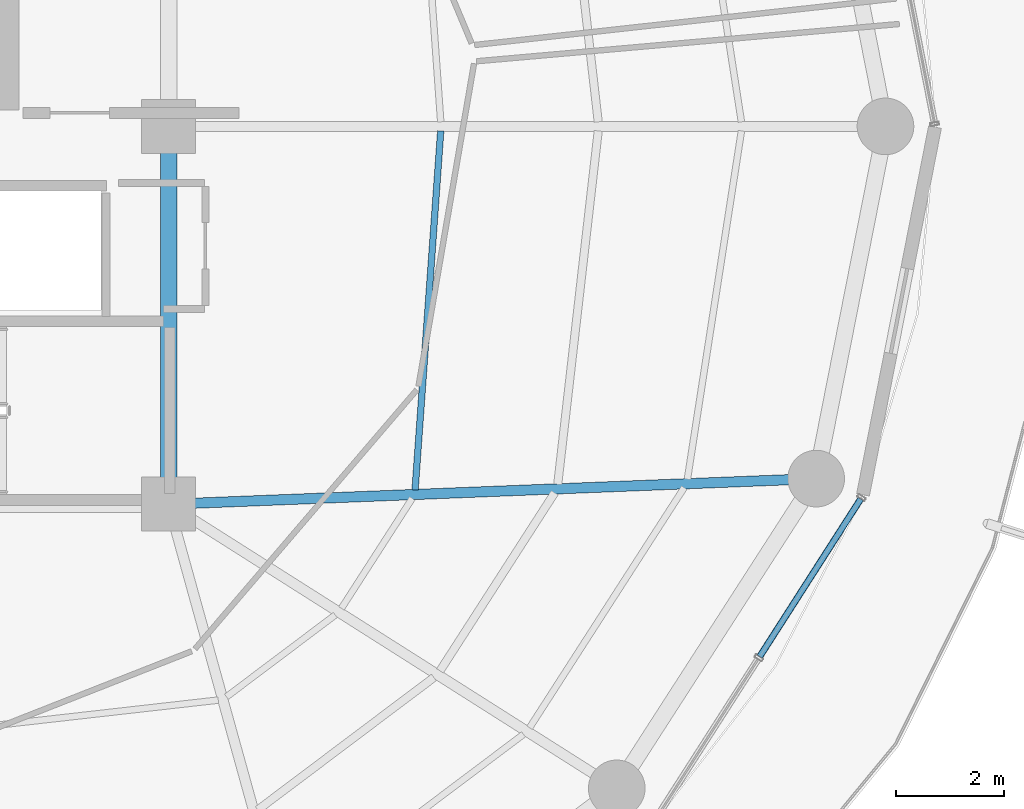
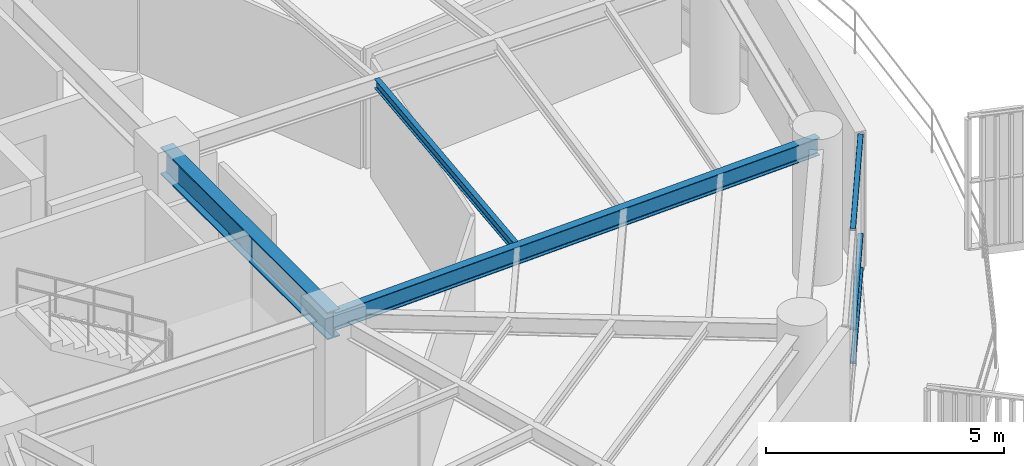
# One storey, part 12 of 31: 3 beams, 3 members, 1 element without a shape of its own.
"""IFC4 building model written with IfcOpenShell, lengths in metres."""

from ifc_helpers import new_model, si_unit, direction, frame, origin, origin_2d, place, context, subcontext, project, spatial, hollow_rectangle, i_section, extrude, material, layer, layer_set, material_profile, profile_set, type_object, element, aggregate, save


model = new_model("IFC4")

# Units and contexts
model_context = context("Model", 3, precision=1e-05, world=origin(), true_north=direction((0.0, 1.0)))
body_context = subcontext(model_context, "Body", "Model", "MODEL_VIEW")
ifc_project = project(units=[si_unit("LENGTHUNIT", "METRE"), si_unit("AREAUNIT", "SQUARE_METRE"), si_unit("VOLUMEUNIT", "CUBIC_METRE"), si_unit("PLANEANGLEUNIT", "RADIAN"), si_unit("MASSUNIT", "GRAM", prefix="KILO")], contexts=[model_context])

# Site, building, storey
site_placement = place(None, origin())
site = spatial("IfcSite", under=ifc_project, at=site_placement, CompositionType="ELEMENT")
building_placement = place(site_placement, origin())
building = spatial("IfcBuilding", under=site, at=building_placement, Name="Kelanora Arch Commons", CompositionType="ELEMENT")
storey_placement = place(building_placement, frame((0.0, 0.0, 230.699951171875)))
storey = spatial("IfcBuildingStorey", under=building, at=storey_placement, Name="L59", CompositionType="ELEMENT", Elevation=230.699951171875)

# Beams
ifc_material_1 = material(Name="Steel S355", Category="steel")
ifc_material_profile_1 = material_profile(ifc_material_1, i_section(OverallWidth=0.300048828125, OverallDepth=0.699951171875, WebThickness=0.01708984375, FlangeThickness=0.031982421875, FilletRadius=0.027099609375, at=origin_2d()), Name="HEB700")
ifc_profile_set_1 = profile_set([ifc_material_profile_1], Name="Steel S355")
beam_type_1 = type_object("IfcBeamType", Name="BM-CORE-HDR", PredefinedType="BEAM", material=ifc_profile_set_1)
beam_1_placement = place(storey_placement, frame((82.0, 51.0, 3.14013671875), z_axis=(0.0, 1.0, 0.0), x_axis=(-1.0, 0.0, 0.0)))
element("IfcBeam", 1, at=beam_1_placement, inside=storey, type_object=beam_type_1, Name="Core Header Beam 03 L59", PredefinedType="BEAM", context=body_context, shape_type="SweptSolid", body=[
    extrude(i_section(OverallWidth=0.300048828125, OverallDepth=0.699951171875, WebThickness=0.01708984375, FlangeThickness=0.031982421875, FilletRadius=0.027099609375, at=origin_2d()), origin(), (0.0, 0.0, 1.0), 7.0),
])
ifc_material_profile_2 = material_profile(ifc_material_1, i_section(OverallWidth=0.1201171875, OverallDepth=0.239990234375, WebThickness=0.006103515625, FlangeThickness=0.009765625, FilletRadius=0.014892578125, at=origin_2d()), Name="IPE240")
ifc_profile_set_2 = profile_set([ifc_material_profile_2], Name="Steel S355")
beam_type_2 = type_object("IfcBeamType", Name="BM-JST-02", PredefinedType="JOIST", material=ifc_profile_set_2)
beam_2_placement = place(storey_placement, frame((86.564697265625, 51.264892578125, 3.3701171875), z_axis=(0.07133032136, 0.997452748382, 0.0), x_axis=(-0.997452748382, 0.07133032136, 0.0)))
element("IfcBeam", 2, at=beam_2_placement, inside=storey, type_object=beam_type_2, Name="Secondary Chord Joist BJA-34 L59", PredefinedType="JOIST", context=body_context, shape_type="SweptSolid", body=[
    extrude(i_section(OverallWidth=0.1201171875, OverallDepth=0.239990234375, WebThickness=0.006103515625, FlangeThickness=0.009765625, FilletRadius=0.014892578125, at=origin_2d()), origin(), (0.0, 0.0, 1.0), 6.66748046875),
])
ifc_material_profile_3 = material_profile(ifc_material_1, i_section(OverallWidth=0.18994140625, OverallDepth=0.449951171875, WebThickness=0.009521484375, FlangeThickness=0.0146484375, FilletRadius=0.02099609375, at=origin_2d()), Name="IPE450")
ifc_profile_set_3 = profile_set([ifc_material_profile_3], Name="Steel S355")
beam_type_3 = type_object("IfcBeamType", Name="BM-RAD-Z4", PredefinedType="BEAM", material=ifc_profile_set_3)
beam_3_placement = place(storey_placement, frame((82.0, 51.0, 3.26513671875), z_axis=(0.999219142585, 0.03951082246, 0.0), x_axis=(-0.03951082246, 0.999219142585, 0.0)))
element("IfcBeam", 3, at=beam_3_placement, inside=storey, type_object=beam_type_3, Name="Radial Floor Girder BR-34 L59", PredefinedType="BEAM", context=body_context, shape_type="SweptSolid", body=[
    extrude(i_section(OverallWidth=0.18994140625, OverallDepth=0.449951171875, WebThickness=0.009521484375, FlangeThickness=0.0146484375, FilletRadius=0.02099609375, at=origin_2d()), origin(), (0.0, 0.0, 1.0), 12.005859375),
])

# Curtain wall, members
ifc_material_2 = material(Name="Terracotta ceramic-fritted low-E glass and aluminium", Category="masonry")
ifc_layer = layer(ifc_material_2, 0.175048828125)
ifc_layer_set = layer_set([ifc_layer], Name="Terracotta ceramic-fritted low-E glass and aluminium")
curtain_wall_type = type_object("IfcCurtainWallType", Name="CW-SYS-02", PredefinedType="NOTDEFINED", material=ifc_layer_set)
curtain_wall_placement = place(storey_placement, origin())
curtain_wall = element("IfcCurtainWall", 4, at=curtain_wall_placement, inside=storey, type_object=curtain_wall_type, Name="Unitised Curtain Wall L59-B16", PredefinedType="NOTDEFINED")
ifc_material_3 = material(Name="Powder-coated aluminium terracotta", Category="masonry")
ifc_material_profile_4 = material_profile(ifc_material_3, hollow_rectangle(XDim=0.1201171875, YDim=0.06005859375, WallThickness=0.0048828125, InnerFilletRadius=0.0048828125, OuterFilletRadius=0.010009765625, at=origin_2d()), Name="CWT120x60")
ifc_profile_set_4 = profile_set([ifc_material_profile_4], Name="Powder-coated aluminium terracotta")
member_type = type_object("IfcMemberType", Name="CWT-STD", PredefinedType="USERDEFINED", material=ifc_profile_set_4)
member_1_placement = place(storey_placement, frame((92.949951171875, 48.17724609375, 0.030029296875), z_axis=(0.539579095642, 0.84193491408, 0.0), x_axis=(-0.84193491408, 0.539579095642, 0.0)))
member_1 = element("IfcMember", 5, at=member_1_placement, type_object=member_type, Name="CW-02 transom 2.1", ObjectType="TRANSOM", PredefinedType="USERDEFINED", context=body_context, shape_type="SweptSolid", body=[
    extrude(hollow_rectangle(XDim=0.1201171875, YDim=0.06005859375, WallThickness=0.0048828125, InnerFilletRadius=0.0048828125, OuterFilletRadius=0.010009765625, at=origin_2d()), origin(), (0.0, 0.0, 1.0), 3.46728515625),
])
member_2_placement = place(storey_placement, frame((92.949951171875, 48.17724609375, 0.900146484375), z_axis=(0.539579095642, 0.84193491408, 0.0), x_axis=(-0.84193491408, 0.539579095642, 0.0)))
member_2 = element("IfcMember", 6, at=member_2_placement, type_object=member_type, Name="CW-02 transom 2.2", ObjectType="TRANSOM", PredefinedType="USERDEFINED", context=body_context, shape_type="SweptSolid", body=[
    extrude(hollow_rectangle(XDim=0.1201171875, YDim=0.06005859375, WallThickness=0.0048828125, InnerFilletRadius=0.0048828125, OuterFilletRadius=0.010009765625, at=origin_2d()), origin(), (0.0, 0.0, 1.0), 3.46728515625),
])
member_3_placement = place(storey_placement, frame((92.949951171875, 48.17724609375, 3.445068359375), z_axis=(0.539579095642, 0.84193491408, 0.0), x_axis=(-0.84193491408, 0.539579095642, 0.0)))
member_3 = element("IfcMember", 7, at=member_3_placement, type_object=member_type, Name="CW-02 transom 2.3", ObjectType="TRANSOM", PredefinedType="USERDEFINED", context=body_context, shape_type="SweptSolid", body=[
    extrude(hollow_rectangle(XDim=0.1201171875, YDim=0.06005859375, WallThickness=0.0048828125, InnerFilletRadius=0.0048828125, OuterFilletRadius=0.010009765625, at=origin_2d()), origin(), (0.0, 0.0, 1.0), 3.46728515625),
])
aggregate(curtain_wall, [member_1, member_2, member_3])

save(model, "model.ifc")
